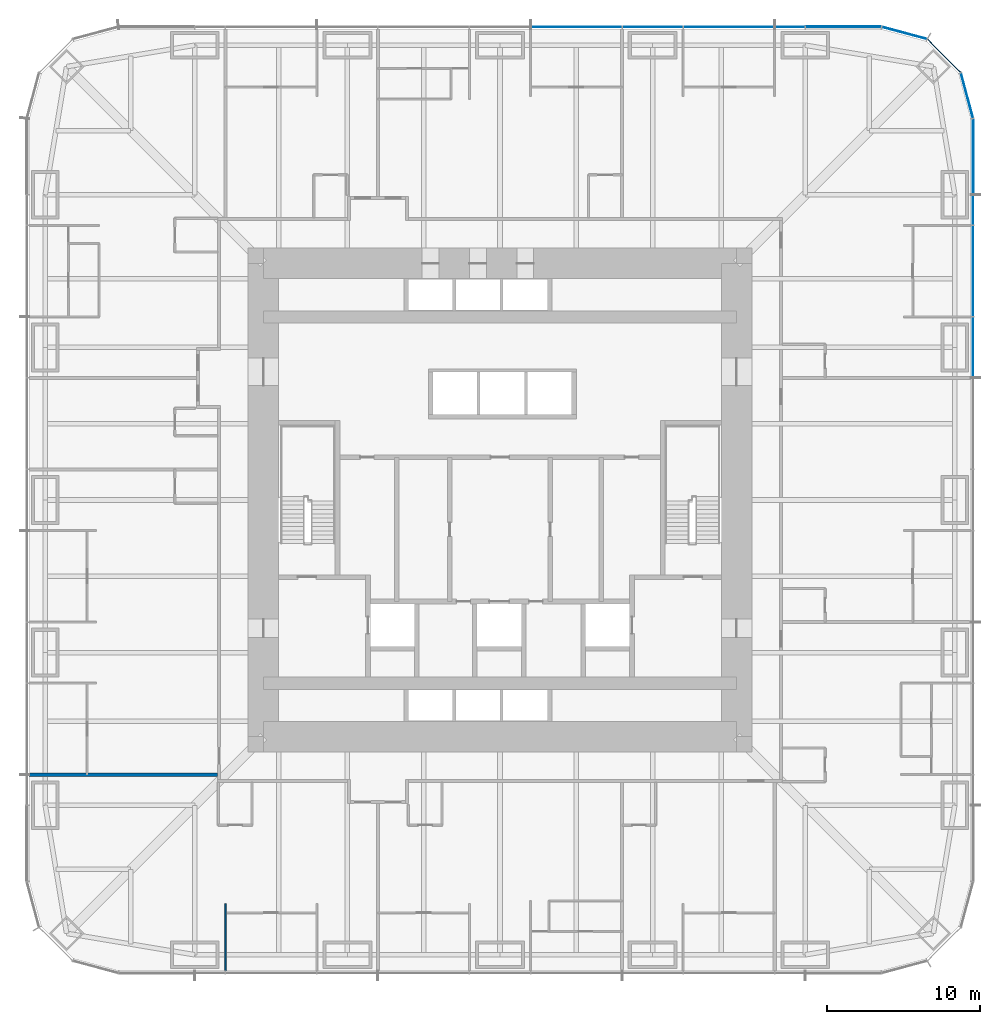
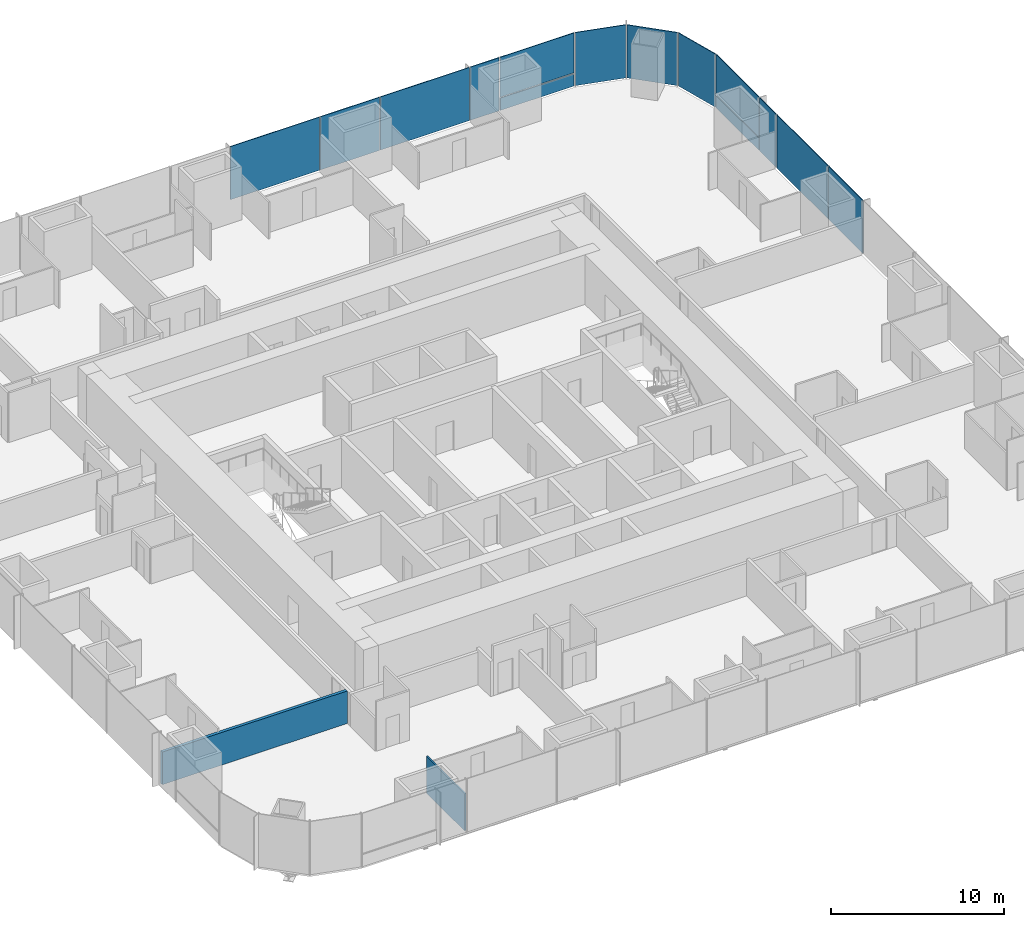
# One storey, part 11 of 17: 14 plates, 2 walls, 3 elements without a shape of their own.
"""IFC4 building model written with IfcOpenShell, lengths in metres."""

from ifc_helpers import new_model, si_unit, direction, frame, frame_2d, origin, origin_2d, place, context, subcontext, project, spatial, rectangle, extrude, material, layer, layer_set, type_object, element, aggregate, save


model = new_model("IFC4")

# Units and contexts
model_context = context("Model", 3, precision=1e-05, world=origin(), true_north=direction((0.0, 1.0)))
body_context = subcontext(model_context, "Body", "Model", "MODEL_VIEW")
ifc_project = project(units=[si_unit("LENGTHUNIT", "METRE"), si_unit("AREAUNIT", "SQUARE_METRE"), si_unit("VOLUMEUNIT", "CUBIC_METRE"), si_unit("PLANEANGLEUNIT", "RADIAN"), si_unit("MASSUNIT", "GRAM", prefix="KILO")], contexts=[model_context])

# Site, building, storey
site_placement = place(None, origin())
site = spatial("IfcSite", under=ifc_project, at=site_placement, CompositionType="ELEMENT")
building_placement = place(site_placement, origin())
building = spatial("IfcBuilding", under=site, at=building_placement, Name="Khuree Lantern Residences", CompositionType="ELEMENT")
storey_placement = place(building_placement, frame((0.0, 0.0, 92.25)))
storey = spatial("IfcBuildingStorey", under=building, at=storey_placement, Name="L23", CompositionType="ELEMENT", Elevation=92.25)

# Curtain wall, plates
ifc_material_1 = material(Name="Bronze anodised aluminium", Category="aluminium")
curtain_wall_type_1 = type_object("IfcCurtainWallType", Name="CW-T2 TOWER CORNER CURTAIN WALL", PredefinedType="USERDEFINED", material=ifc_material_1)
curtain_wall_1_placement = place(storey_placement, origin())
curtain_wall_1 = element("IfcCurtainWall", 1, at=curtain_wall_1_placement, inside=storey, type_object=curtain_wall_type_1, Name="L23 NORTH-EAST CORNER CURTAIN WALL", ObjectType="Faceted corner curtain wall", PredefinedType="USERDEFINED")
ifc_material_2 = material(Name="Bronze tinted triple glazing", Category="glass")
ifc_layer_1 = layer(ifc_material_2, 0.048095703125)
ifc_layer_set_1 = layer_set([ifc_layer_1], Name="FACET PANEL P4")
plate_type_1 = type_object("IfcPlateType", Name="FACET PANEL P4", PredefinedType="CURTAIN_PANEL", material=ifc_layer_set_1)
plate_1_placement = place(storey_placement, frame((30.5986328125, 26.498046875, 0.0), z_axis=(0.0, 0.0, 1.0), x_axis=(-0.258819172081, 0.965925792265, 0.0)))
plate_1 = element("IfcPlate", 2, at=plate_1_placement, type_object=plate_type_1, Name="L23 NORTH-EAST CORNER PANEL 15.1", PredefinedType="CURTAIN_PANEL", context=body_context, shape_type="SweptSolid", body=[
    extrude(rectangle(XDim=3.02978515625, YDim=0.048095703125, at=origin_2d()), origin(), (0.0, 0.0, 1.0), 3.75),
])
plate_2_placement = place(storey_placement, frame((29.09814453125, 29.09814453125, 0.0), z_axis=(0.0, 0.0, 1.0), x_axis=(-0.707106781187, 0.707106781187, 0.0)))
plate_2 = element("IfcPlate", 3, at=plate_2_placement, type_object=plate_type_1, Name="L23 NORTH-EAST CORNER PANEL 16.1", PredefinedType="CURTAIN_PANEL", context=body_context, shape_type="SweptSolid", body=[
    extrude(rectangle(XDim=3.025634765625, YDim=0.048095703125, at=origin_2d()), origin(), (0.0, 0.0, 1.0), 3.75),
])
plate_3_placement = place(storey_placement, frame((26.498046875, 30.5986328125, 0.0), z_axis=(0.0, 0.0, 1.0), x_axis=(-0.965925792265, 0.258819172081, 0.0)))
plate_3 = element("IfcPlate", 4, at=plate_3_placement, type_object=plate_type_1, Name="L23 NORTH-EAST CORNER PANEL 17.1", PredefinedType="CURTAIN_PANEL", context=body_context, shape_type="SweptSolid", body=[
    extrude(rectangle(XDim=3.02978515625, YDim=0.048095703125, at=origin_2d()), origin(), (0.0, 0.0, 1.0), 3.75),
])
aggregate(curtain_wall_1, [plate_1, plate_2, plate_3])

# Curtain wall, plate
curtain_wall_type_2 = type_object("IfcCurtainWallType", Name="CW-T1 TOWER FACE CURTAIN WALL", PredefinedType="USERDEFINED", material=ifc_material_1)
curtain_wall_2_placement = place(storey_placement, origin())
curtain_wall_2 = element("IfcCurtainWall", 5, at=curtain_wall_2_placement, inside=storey, type_object=curtain_wall_type_2, Name="L23 EAST FACE CURTAIN WALL", ObjectType="Stick-built curtain wall", PredefinedType="USERDEFINED")
ifc_material_3 = material(Name="Bronze tinted triple glazing with a ceramic-fritted spandrel band", Category="glass")
ifc_layer_2 = layer(ifc_material_3, 0.048095703125)
ifc_layer_set_2 = layer_set([ifc_layer_2], Name="FIXED LIGHT PANEL P11")
plate_type_2 = type_object("IfcPlateType", Name="FIXED LIGHT PANEL P11", PredefinedType="CURTAIN_PANEL", material=ifc_layer_set_2)
plate_4_placement = place(storey_placement, frame((31.0, 15.0, 0.0), z_axis=(0.0, 0.0, 1.0), x_axis=(0.0, 1.0, 0.0)))
plate_4 = element("IfcPlate", 6, at=plate_4_placement, type_object=plate_type_2, Name="L23 EAST FACE PANEL 12.1", PredefinedType="CURTAIN_PANEL", context=body_context, shape_type="SweptSolid", body=[
    extrude(rectangle(XDim=5.93505859375, YDim=0.048095703125, at=origin_2d()), origin(), (0.0, 0.0, 1.0), 3.75),
])

# Curtain wall, plates
curtain_wall_3_placement = place(storey_placement, origin())
curtain_wall_3 = element("IfcCurtainWall", 7, at=curtain_wall_3_placement, inside=storey, type_object=curtain_wall_type_2, Name="L23 NORTH FACE CURTAIN WALL", ObjectType="Stick-built curtain wall", PredefinedType="USERDEFINED")
plate_5_placement = place(storey_placement, frame((15.0, 31.0, 0.0), z_axis=(0.0, 0.0, 1.0), x_axis=(-1.0, 0.0, 0.0)))
plate_5 = element("IfcPlate", 8, at=plate_5_placement, type_object=plate_type_2, Name="L23 NORTH FACE PANEL 20.1", PredefinedType="CURTAIN_PANEL", context=body_context, shape_type="SweptSolid", body=[
    extrude(rectangle(XDim=5.93505859375, YDim=0.048095703125, at=origin_2d()), origin(), (0.0, 0.0, 1.0), 3.75),
])
plate_6_placement = place(storey_placement, frame((5.0, 31.0, 0.0), z_axis=(0.0, 0.0, 1.0), x_axis=(-1.0, 0.0, 0.0)))
plate_6 = element("IfcPlate", 9, at=plate_6_placement, type_object=plate_type_2, Name="L23 NORTH FACE PANEL 22.1", PredefinedType="CURTAIN_PANEL", context=body_context, shape_type="SweptSolid", body=[
    extrude(rectangle(XDim=5.93505859375, YDim=0.048095703125, at=origin_2d()), origin(), (0.0, 0.0, 1.0), 3.75),
])

# Plate
ifc_material_4 = material(Name="Bronze tinted triple glazing, two aluminium-framed sashes in one frame", Category="aluminium")
ifc_layer_3 = layer(ifc_material_4, 0.048095703125)
ifc_layer_set_3 = layer_set([ifc_layer_3], Name="SASH PAIR PANEL P12")
plate_type_3 = type_object("IfcPlateType", Name="SASH PAIR PANEL P12", PredefinedType="CURTAIN_PANEL", material=ifc_layer_set_3)
plate_7_placement = place(storey_placement, frame((31.0, 10.0, 0.0), z_axis=(0.0, 0.0, 1.0), x_axis=(0.0, 1.0, 0.0)))
plate_7 = element("IfcPlate", 10, at=plate_7_placement, type_object=plate_type_3, Name="L23 EAST FACE PANEL 11.1", PredefinedType="CURTAIN_PANEL", context=body_context, shape_type="SweptSolid", body=[
    extrude(rectangle(XDim=3.93505859375, YDim=0.048095703125, at=origin_2d()), origin(), (0.0, 0.0, 1.0), 3.75),
])

plate_8_placement = place(storey_placement, frame((10.0, 31.0, 0.0), z_axis=(0.0, 0.0, 1.0), x_axis=(-1.0, 0.0, 0.0)))
plate_8 = element("IfcPlate", 11, at=plate_8_placement, type_object=plate_type_3, Name="L23 NORTH FACE PANEL 21.1", PredefinedType="CURTAIN_PANEL", context=body_context, shape_type="SweptSolid", body=[
    extrude(rectangle(XDim=3.93505859375, YDim=0.048095703125, at=origin_2d()), origin(), (0.0, 0.0, 1.0), 3.75),
])

ifc_material_5 = material(Name="Bronze tinted triple glazing, aluminium-framed sash", Category="aluminium")
ifc_layer_4 = layer(ifc_material_5, 0.048095703125)
ifc_layer_set_4 = layer_set([ifc_layer_4], Name="SASH PANEL P3")
plate_type_4 = type_object("IfcPlateType", Name="SASH PANEL P3", PredefinedType="CURTAIN_PANEL", material=ifc_layer_set_4)
plate_9_placement = place(storey_placement, frame((31.0, 19.0, 0.0), z_axis=(0.0, 0.0, 1.0), x_axis=(0.0, 1.0, 0.0)))
plate_9 = element("IfcPlate", 12, at=plate_9_placement, type_object=plate_type_4, Name="L23 EAST FACE PANEL 13.1", PredefinedType="CURTAIN_PANEL", context=body_context, shape_type="SweptSolid", body=[
    extrude(rectangle(XDim=1.93505859375, YDim=0.048095703125, at=origin_2d()), origin(), (0.0, 0.0, 1.0), 3.75),
])

plate_10_placement = place(storey_placement, frame((19.0, 31.0, 0.0), z_axis=(0.0, 0.0, 1.0), x_axis=(-1.0, 0.0, 0.0)))
plate_10 = element("IfcPlate", 13, at=plate_10_placement, type_object=plate_type_4, Name="L23 NORTH FACE PANEL 19.1", PredefinedType="CURTAIN_PANEL", context=body_context, shape_type="SweptSolid", body=[
    extrude(rectangle(XDim=1.93505859375, YDim=0.048095703125, at=origin_2d()), origin(), (0.0, 0.0, 1.0), 3.75),
])

ifc_material_6 = material(Name="Bronze anodised aluminium insulated spandrel", Category="aluminium")
ifc_layer_5 = layer(ifc_material_6, 0.06005859375)
ifc_layer_set_5 = layer_set([ifc_layer_5], Name="SPANDREL PANEL P2")
plate_type_5 = type_object("IfcPlateType", Name="SPANDREL PANEL P2", PredefinedType="CURTAIN_PANEL", material=ifc_layer_set_5)
plate_11_placement = place(storey_placement, frame((31.0, 22.497802734375, 0.0), z_axis=(0.0, 0.0, 1.0), x_axis=(0.0, 1.0, 0.0)))
plate_11 = element("IfcPlate", 14, at=plate_11_placement, type_object=plate_type_5, Name="L23 EAST FACE PANEL 14.1", PredefinedType="CURTAIN_PANEL", context=body_context, shape_type="SweptSolid", body=[
    extrude(rectangle(XDim=4.9306640625, YDim=0.06005859375, at=origin_2d()), origin(), (0.0, 0.0, 1.0), 0.867431640625),
])

plate_12_placement = place(storey_placement, frame((22.497802734375, 31.0, 0.0), z_axis=(0.0, 0.0, 1.0), x_axis=(-1.0, 0.0, 0.0)))
plate_12 = element("IfcPlate", 15, at=plate_12_placement, type_object=plate_type_5, Name="L23 NORTH FACE PANEL 18.1", PredefinedType="CURTAIN_PANEL", context=body_context, shape_type="SweptSolid", body=[
    extrude(rectangle(XDim=4.9306640625, YDim=0.06005859375, at=origin_2d()), origin(), (0.0, 0.0, 1.0), 0.867431640625),
])

ifc_layer_6 = layer(ifc_material_2, 0.048095703125)
ifc_layer_set_6 = layer_set([ifc_layer_6], Name="VISION PANEL P1")
plate_type_6 = type_object("IfcPlateType", Name="VISION PANEL P1", PredefinedType="CURTAIN_PANEL", material=ifc_layer_set_6)
plate_13_placement = place(storey_placement, frame((31.0, 22.498291015625, 0.9326171875), z_axis=(0.0, 0.0, 1.0), x_axis=(0.0, 1.0, 0.0)))
plate_13 = element("IfcPlate", 16, at=plate_13_placement, type_object=plate_type_6, Name="L23 EAST FACE PANEL 14.2", PredefinedType="CURTAIN_PANEL", context=body_context, shape_type="SweptSolid", body=[
    extrude(rectangle(XDim=4.931640625, YDim=0.048095703125, at=origin_2d()), origin(), (0.0, 0.0, 1.0), 2.8173828125),
])

aggregate(curtain_wall_2, [plate_7, plate_4, plate_9, plate_11, plate_13])

plate_14_placement = place(storey_placement, frame((22.498291015625, 31.0, 0.9326171875), z_axis=(0.0, 0.0, 1.0), x_axis=(-1.0, 0.0, 0.0)))
plate_14 = element("IfcPlate", 17, at=plate_14_placement, type_object=plate_type_6, Name="L23 NORTH FACE PANEL 18.2", PredefinedType="CURTAIN_PANEL", context=body_context, shape_type="SweptSolid", body=[
    extrude(rectangle(XDim=4.931640625, YDim=0.048095703125, at=origin_2d()), origin(), (0.0, 0.0, 1.0), 2.8173828125),
])

aggregate(curtain_wall_3, [plate_12, plate_14, plate_10, plate_5, plate_8, plate_6])

# Walls
ifc_material_7 = material(Name="Gypsum board on steel studs", Category="steel")
ifc_layer_7 = layer(ifc_material_7, 0.199951171875)
ifc_layer_set_7 = layer_set([ifc_layer_7], Name="DEMISING WALL DMW200 EI 90")
wall_type_1 = type_object("IfcWallType", Name="DEMISING WALL DMW200 EI 90", PredefinedType="PARTITIONING", material=ifc_layer_set_7)
wall_1_placement = place(storey_placement, frame((-18.5, -18.0, 0.0), z_axis=(0.0, 0.0, 1.0), x_axis=(-1.0, 0.0, 0.0)))
element("IfcWall", 18, at=wall_1_placement, inside=storey, type_object=wall_type_1, Name="L23 DEMISING WALL 08", PredefinedType="PARTITIONING", context=body_context, shape_type="SweptSolid", body=[
    extrude(rectangle(XDim=12.35009765625, YDim=0.199951171875, at=frame_2d((6.175048828125, 0.0))), origin(), (0.0, 0.0, 1.0), 2.300048828125),
])
ifc_layer_8 = layer(ifc_material_7, 0.10009765625)
ifc_layer_set_8 = layer_set([ifc_layer_8], Name="PARTITION PT100")
wall_type_2 = type_object("IfcWallType", Name="PARTITION PT100", PredefinedType="PARTITIONING", material=ifc_layer_set_8)
wall_2_placement = place(storey_placement, frame((-18.0, -26.449951171875, 0.0), z_axis=(0.0, 0.0, 1.0), x_axis=(0.0, -1.0, 0.0)))
element("IfcWall", 19, at=wall_2_placement, inside=storey, type_object=wall_type_2, Name="L23 PARTITION 08", PredefinedType="PARTITIONING", context=body_context, shape_type="SweptSolid", body=[
    extrude(rectangle(XDim=4.400146484375, YDim=0.10009765625, at=frame_2d((2.2001953125, 0.0))), origin(), (0.0, 0.0, 1.0), 2.610107421875),
])

save(model, "model.ifc")
